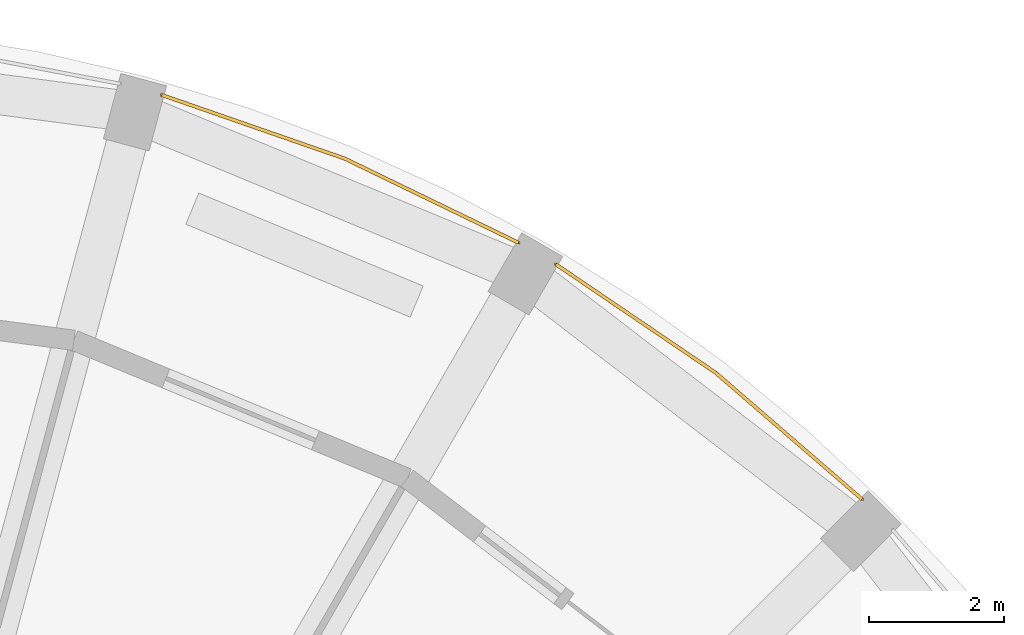
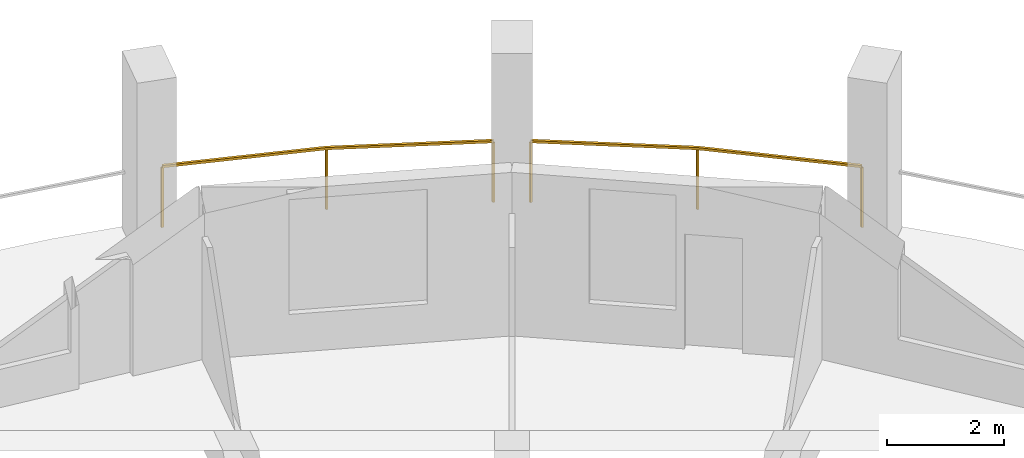
# One storey, part 9 of 9: 2 railings.
"""IFC4 building model written with IfcOpenShell, lengths in metres."""

from ifc_helpers import new_model, si_unit, direction, frame, origin, origin_2d, place, context, subcontext, project, spatial, rectangle, extrude, material, type_object, element, save


model = new_model("IFC4")

# Units and contexts
model_context = context("Model", 3, precision=1e-05, world=origin(), true_north=direction((0.0, 1.0)))
body_context = subcontext(model_context, "Body", "Model", "MODEL_VIEW")
ifc_project = project(units=[si_unit("LENGTHUNIT", "METRE"), si_unit("AREAUNIT", "SQUARE_METRE"), si_unit("VOLUMEUNIT", "CUBIC_METRE"), si_unit("PLANEANGLEUNIT", "RADIAN"), si_unit("MASSUNIT", "GRAM", prefix="KILO")], contexts=[model_context])

# Site, building, storey
site_placement = place(None, origin())
site = spatial("IfcSite", under=ifc_project, at=site_placement, CompositionType="ELEMENT")
building_placement = place(site_placement, origin())
building = spatial("IfcBuilding", under=site, at=building_placement, Name="Torre Triforio", CompositionType="ELEMENT")
storey_placement = place(building_placement, frame((0.0, 0.0, 229.800048828125)))
storey = spatial("IfcBuildingStorey", under=building, at=storey_placement, Name="L52", CompositionType="ELEMENT", Elevation=229.800048828125)

# Railings
ifc_material = material(Name="Stainless steel AISI 316", Category="steel")
railing_type = type_object("IfcRailingType", Name="Loggia guard 1300", PredefinedType="GUARDRAIL", material=ifc_material)
railing_1_placement = place(storey_placement, frame((16.99169921875, 17.4443359375, 0.0)))
element("IfcRailing", 1, at=railing_1_placement, inside=storey, type_object=railing_type, Name="Loggia guard L52 bay 04", PredefinedType="GUARDRAIL", context=body_context, shape_type="SweptSolid", body=[
    extrude(rectangle(XDim=0.050048828125, YDim=0.050048828125, at=origin_2d()), frame((0.0, 0.0, 1.27490234375), z_axis=(-0.756646755422, 0.653823896404, 0.0), x_axis=(-0.653823896404, -0.756646755422, 0.0)), (0.0, 0.0, 1.0), 2.865966796875),
    extrude(rectangle(XDim=0.050048828125, YDim=0.050048828125, at=origin_2d()), frame((-2.16845703125, 1.873779296875, 1.27490234375), z_axis=(-0.827368322727, 0.561659735558, 0.0), x_axis=(-0.561659735558, -0.827368322727, 0.0)), (0.0, 0.0, 1.0), 2.86572265625),
    extrude(rectangle(XDim=0.0400390625, YDim=0.0400390625, at=origin_2d()), origin(), (0.0, 0.0, 1.0), 1.25),
    extrude(rectangle(XDim=0.0400390625, YDim=0.0400390625, at=origin_2d()), frame((-2.16845703125, 1.873779296875, 0.0)), (0.0, 0.0, 1.0), 1.25),
    extrude(rectangle(XDim=0.0400390625, YDim=0.0400390625, at=origin_2d()), frame((-4.53955078125, 3.4833984375, 0.0)), (0.0, 0.0, 1.0), 1.25),
])
railing_2_placement = place(storey_placement, frame((11.89794921875, 21.247802734375, 0.0)))
element("IfcRailing", 2, at=railing_2_placement, inside=storey, type_object=railing_type, Name="Loggia guard L52 bay 05", PredefinedType="GUARDRAIL", context=body_context, shape_type="SweptSolid", body=[
    extrude(rectangle(XDim=0.050048828125, YDim=0.050048828125, at=origin_2d()), frame((0.0, 0.0, 1.27490234375), z_axis=(-0.900078431046, 0.435727917358, 0.0), x_axis=(-0.435727917358, -0.900078431046, 0.0)), (0.0, 0.0, 1.0), 2.865966796875),
    extrude(rectangle(XDim=0.050048828125, YDim=0.050048828125, at=origin_2d()), frame((-2.57958984375, 1.248779296875, 1.27490234375), z_axis=(-0.944568028123, 0.328315763022, 0.0), x_axis=(-0.328315763022, -0.944568028123, 0.0)), (0.0, 0.0, 1.0), 2.865966796875),
    extrude(rectangle(XDim=0.0400390625, YDim=0.0400390625, at=origin_2d()), origin(), (0.0, 0.0, 1.0), 1.25),
    extrude(rectangle(XDim=0.0400390625, YDim=0.0400390625, at=origin_2d()), frame((-2.57958984375, 1.248779296875, 0.0)), (0.0, 0.0, 1.0), 1.25),
    extrude(rectangle(XDim=0.0400390625, YDim=0.0400390625, at=origin_2d()), frame((-5.28662109375, 2.189697265625, 0.0)), (0.0, 0.0, 1.0), 1.25),
])

save(model, "model.ifc")
